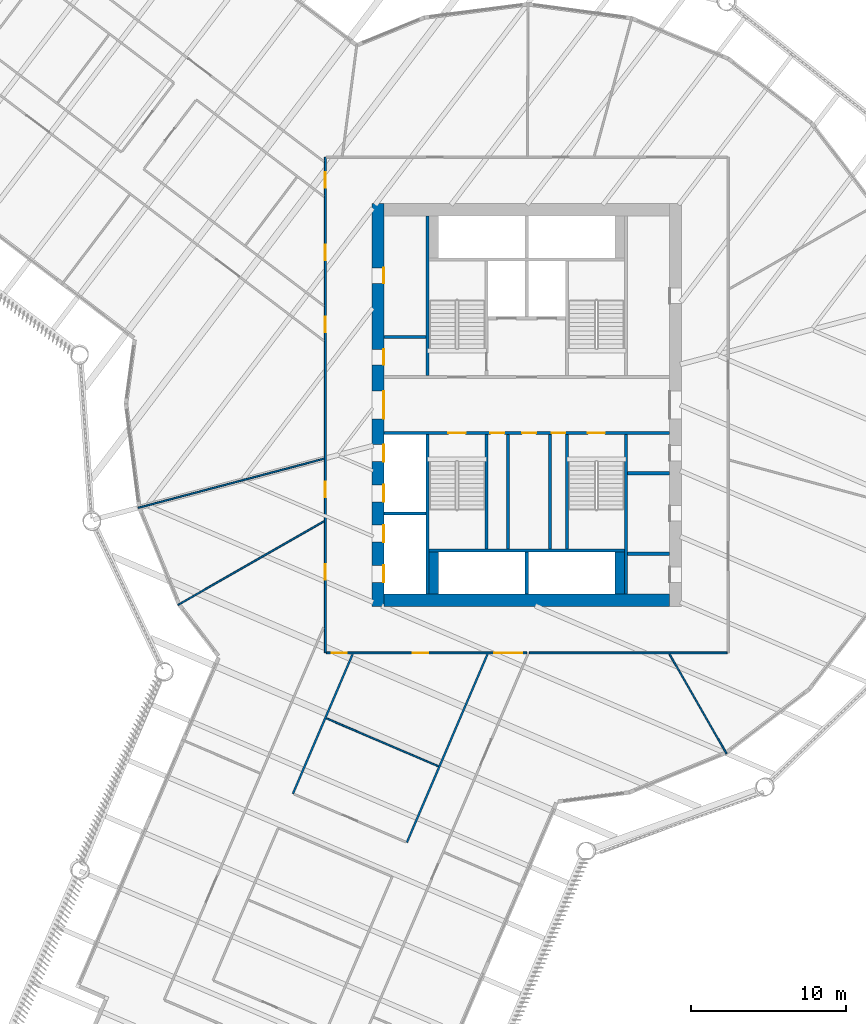
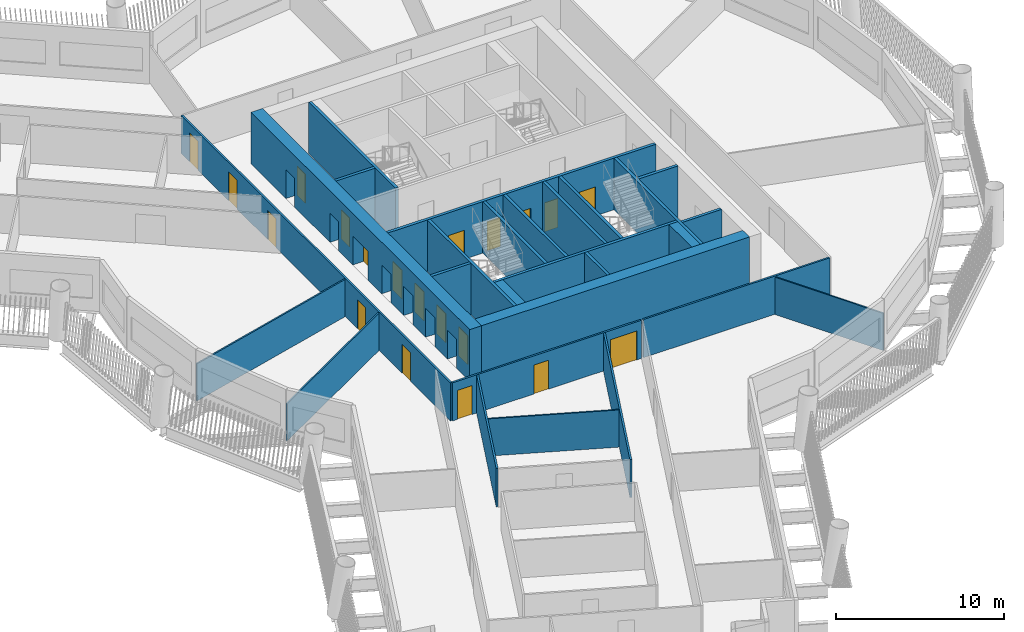
# One storey, part 4 of 16: 27 walls, 20 doors, 20 openings.
"""IFC4 building model written with IfcOpenShell, lengths in metres."""

from ifc_helpers import new_model, si_unit, direction, frame, frame_2d, origin, place, context, subcontext, project, spatial, rectangle, extrude, material, layer, layer_set, type_object, element, fill, save


model = new_model("IFC4")

# Units and contexts
model_context = context("Model", 3, precision=1e-05, world=origin(), true_north=direction((0.0, 1.0)))
body_context = subcontext(model_context, "Body", "Model", "MODEL_VIEW")
ifc_project = project(units=[si_unit("LENGTHUNIT", "METRE"), si_unit("AREAUNIT", "SQUARE_METRE"), si_unit("VOLUMEUNIT", "CUBIC_METRE"), si_unit("PLANEANGLEUNIT", "RADIAN"), si_unit("MASSUNIT", "GRAM", prefix="KILO")], contexts=[model_context])

# Site, building, storey
site_placement = place(None, origin())
site = spatial("IfcSite", under=ifc_project, at=site_placement, CompositionType="ELEMENT")
building_placement = place(site_placement, origin())
building = spatial("IfcBuilding", under=site, at=building_placement, Name="Tarsis Ring Headquarters", CompositionType="ELEMENT")
storey_placement = place(building_placement, frame((0.0, 0.0, 120.10009765625)))
storey = spatial("IfcBuildingStorey", under=building, at=storey_placement, Name="L27", CompositionType="ELEMENT", Elevation=120.10009765625)

# Walls
ifc_material_1 = material(Name="Blockwork", Category="masonry")
ifc_layer_1 = layer(ifc_material_1, 0.199951171875)
ifc_layer_set_1 = layer_set([ifc_layer_1], Name="Core blockwork wall 200")
wall_type_1 = type_object("IfcWallType", Name="Core blockwork wall 200", PredefinedType="PARTITIONING", material=ifc_layer_set_1)
for number, where, z_axis, x_axis, name in (
    (1, (-9.199951171875, 4.39990234375, 0.0), (0.0, 0.0, 1.0), (1.0, 0.0, 0.0), "Core partition WD5"),
    (2, (6.5, -9.60009765625, 0.0), (0.0, 0.0, 1.0), (1.0, 0.0, 0.0), "Core partition ED1"),
    (3, (6.5, -4.39990234375, 0.0), (0.0, 0.0, 1.0), (1.0, 0.0, 0.0), "Core partition ED3"),
):
    element("IfcWall", number, at=place(storey_placement, frame(where, z_axis=z_axis, x_axis=x_axis)), inside=storey, type_object=wall_type_1, Name=name, PredefinedType="PARTITIONING", context=body_context, shape_type="SweptSolid", body=[
        extrude(rectangle(XDim=2.699951171875, YDim=0.199951171875, at=frame_2d((1.35009765625, 0.0))), origin(), (0.0, 0.0, 1.0), 3.739990234375),
    ])
for number, where, z_axis, x_axis, name in (
    (4, (-1.199951171875, -9.300048828125, 0.0), (0.0, 0.0, 1.0), (0.0, 1.0, 0.0), "Core partition SV1"),
    (5, (1.5, -9.300048828125, 0.0), (0.0, 0.0, 1.0), (0.0, 1.0, 0.0), "Core partition SV2"),
):
    element("IfcWall", number, at=place(storey_placement, frame(where, z_axis=z_axis, x_axis=x_axis)), inside=storey, type_object=wall_type_1, Name=name, PredefinedType="PARTITIONING", context=body_context, shape_type="SweptSolid", body=[
        extrude(rectangle(XDim=7.400146484375, YDim=0.199951171875, at=frame_2d((3.7001953125, 0.0))), origin(), (0.0, 0.0, 1.0), 3.739990234375),
    ])

# Wall, openings, doors
ifc_material_2 = material(Name="Concrete C60/75", Category="concrete")
ifc_layer_2 = layer(ifc_material_2, 0.800048828125)
ifc_layer_set_2 = layer_set([ifc_layer_2], Name="Core wall 800 C60/75")
wall_type_2 = type_object("IfcWallType", Name="Core wall 800 C60/75", PredefinedType="SHEAR", material=ifc_layer_set_2)
wall_1_placement = place(storey_placement, frame((-9.60009765625, -13.0, 0.0), z_axis=(0.0, 0.0, 1.0), x_axis=(0.0, 1.0, 0.0)))
wall_1 = element("IfcWall", 6, at=wall_1_placement, inside=storey, type_object=wall_type_2, Name="Core wall OW", PredefinedType="SHEAR", context=body_context, shape_type="SweptSolid", body=[
    extrude(rectangle(XDim=26.0, YDim=0.800048828125, at=frame_2d((13.0, 0.0))), origin(), (0.0, 0.0, 1.0), 3.739990234375),
])
opening_1_placement = place(wall_1_placement, frame((1.550048828125, 0.0, 0.0)))
opening_1 = element("IfcOpeningElement", 7, at=opening_1_placement, cuts=wall_1, Name="Opening LD-LR1", PredefinedType="OPENING", context=body_context, shape_type="SweptSolid", body=[
    extrude(rectangle(XDim=1.10009765625, YDim=2.10009765625, at=frame_2d((0.550048828125, 1.050048828125))), frame((0.0, 0.409912109375, 0.0), z_axis=(0.0, -1.0, 0.0), x_axis=(1.0, 0.0, 0.0)), (0.0, 0.0, 1.0), 0.820068359375),
])
opening_2_placement = place(wall_1_placement, frame((4.14990234375, 0.0, 0.0)))
opening_2 = element("IfcOpeningElement", 8, at=opening_2_placement, cuts=wall_1, Name="Opening LD-LR2", PredefinedType="OPENING", context=body_context, shape_type="SweptSolid", body=[
    extrude(rectangle(XDim=1.10009765625, YDim=2.10009765625, at=frame_2d((0.550048828125, 1.050048828125))), frame((0.0, 0.409912109375, 0.0), z_axis=(0.0, -1.0, 0.0), x_axis=(1.0, 0.0, 0.0)), (0.0, 0.0, 1.0), 0.820068359375),
])
opening_3_placement = place(wall_1_placement, frame((6.75, 0.0, 0.0)))
opening_3 = element("IfcOpeningElement", 9, at=opening_3_placement, cuts=wall_1, Name="Opening LD-LR3", PredefinedType="OPENING", context=body_context, shape_type="SweptSolid", body=[
    extrude(rectangle(XDim=1.10009765625, YDim=2.10009765625, at=frame_2d((0.550048828125, 1.050048828125))), frame((0.0, 0.409912109375, 0.0), z_axis=(0.0, -1.0, 0.0), x_axis=(1.0, 0.0, 0.0)), (0.0, 0.0, 1.0), 0.820068359375),
])
opening_4_placement = place(wall_1_placement, frame((9.35009765625, 0.0, 0.0)))
opening_4 = element("IfcOpeningElement", 10, at=opening_4_placement, cuts=wall_1, Name="Opening LD-LR4", PredefinedType="OPENING", context=body_context, shape_type="SweptSolid", body=[
    extrude(rectangle(XDim=1.10009765625, YDim=2.10009765625, at=frame_2d((0.550048828125, 1.050048828125))), frame((0.0, 0.409912109375, 0.0), z_axis=(0.0, -1.0, 0.0), x_axis=(1.0, 0.0, 0.0)), (0.0, 0.0, 1.0), 0.820068359375),
])
opening_5_placement = place(wall_1_placement, frame((12.10009765625, 0.0, 0.0)))
opening_5 = element("IfcOpeningElement", 11, at=opening_5_placement, cuts=wall_1, Name="Opening L27-C05", PredefinedType="OPENING", context=body_context, shape_type="SweptSolid", body=[
    extrude(rectangle(XDim=1.800048828125, YDim=2.10009765625, at=frame_2d((0.89990234375, 1.050048828125))), frame((0.0, 0.409912109375, 0.0), z_axis=(0.0, -1.0, 0.0), x_axis=(1.0, 0.0, 0.0)), (0.0, 0.0, 1.0), 0.820068359375),
])
opening_6_placement = place(wall_1_placement, frame((15.60009765625, 0.0, 0.0)))
opening_6 = element("IfcOpeningElement", 12, at=opening_6_placement, cuts=wall_1, Name="Opening L27-C06", PredefinedType="OPENING", context=body_context, shape_type="SweptSolid", body=[
    extrude(rectangle(XDim=1.0, YDim=2.10009765625, at=frame_2d((0.5, 1.050048828125))), frame((0.0, 0.409912109375, 0.0), z_axis=(0.0, -1.0, 0.0), x_axis=(1.0, 0.0, 0.0)), (0.0, 0.0, 1.0), 0.820068359375),
])
opening_7_placement = place(wall_1_placement, frame((20.85009765625, 0.0, 0.0)))
opening_7 = element("IfcOpeningElement", 13, at=opening_7_placement, cuts=wall_1, Name="Opening L27-C07", PredefinedType="OPENING", context=body_context, shape_type="SweptSolid", body=[
    extrude(rectangle(XDim=1.0, YDim=2.10009765625, at=frame_2d((0.5, 1.050048828125))), frame((0.0, 0.409912109375, 0.0), z_axis=(0.0, -1.0, 0.0), x_axis=(1.0, 0.0, 0.0)), (0.0, 0.0, 1.0), 0.820068359375),
])
ifc_material_3 = material(Name="Steel S355", Category="steel")
door_type_1 = type_object("IfcDoorType", Name="Core entry door 1800x2100", OperationType="DOUBLE_DOOR_SINGLE_SWING", PredefinedType="DOOR", material=ifc_material_3)
door_1_placement = place(opening_5_placement, origin())
door_1 = element("IfcDoor", 14, at=door_1_placement, inside=storey, type_object=door_type_1, Name="Core entry door L27", OperationType="DOUBLE_DOOR_SINGLE_SWING", OverallHeight=2.10009765625, OverallWidth=1.800048828125, PredefinedType="DOOR", context=body_context, shape_type="SweptSolid", body=[
    extrude(rectangle(XDim=1.800048828125, YDim=2.10009765625, at=frame_2d((0.89990234375, 1.050048828125))), frame((0.0, -0.35009765625, 0.0), z_axis=(0.0, -1.0, 0.0), x_axis=(1.0, 0.0, 0.0)), (0.0, 0.0, 1.0), 0.050048828125),
])
fill(opening_5, door_1)
door_type_2 = type_object("IfcDoorType", Name="Core room door 1000x2100", OperationType="SINGLE_SWING_LEFT", PredefinedType="DOOR", material=ifc_material_3)
door_2_placement = place(opening_6_placement, origin())
door_2 = element("IfcDoor", 15, at=door_2_placement, inside=storey, type_object=door_type_2, Name="Core room door L27", OperationType="SINGLE_SWING_LEFT", OverallHeight=2.10009765625, OverallWidth=1.0, PredefinedType="DOOR", context=body_context, shape_type="SweptSolid", body=[
    extrude(rectangle(XDim=1.0, YDim=2.10009765625, at=frame_2d((0.5, 1.050048828125))), frame((0.0, -0.35009765625, 0.0), z_axis=(0.0, -1.0, 0.0), x_axis=(1.0, 0.0, 0.0)), (0.0, 0.0, 1.0), 0.050048828125),
])
fill(opening_6, door_2)
door_3_placement = place(opening_7_placement, origin())
door_3 = element("IfcDoor", 16, at=door_3_placement, inside=storey, type_object=door_type_2, Name="Core room door L27", OperationType="SINGLE_SWING_LEFT", OverallHeight=2.10009765625, OverallWidth=1.0, PredefinedType="DOOR", context=body_context, shape_type="SweptSolid", body=[
    extrude(rectangle(XDim=1.0, YDim=2.10009765625, at=frame_2d((0.5, 1.050048828125))), frame((0.0, -0.35009765625, 0.0), z_axis=(0.0, -1.0, 0.0), x_axis=(1.0, 0.0, 0.0)), (0.0, 0.0, 1.0), 0.050048828125),
])
fill(opening_7, door_3)
door_type_3 = type_object("IfcDoorType", Name="Landing door 1100x2100", OperationType="SLIDING_TO_LEFT", PredefinedType="DOOR", material=ifc_material_3)
door_4_placement = place(opening_1_placement, origin())
door_4 = element("IfcDoor", 17, at=door_4_placement, inside=storey, type_object=door_type_3, Name="Landing door LR1 L27", OperationType="SLIDING_TO_LEFT", OverallHeight=2.10009765625, OverallWidth=1.10009765625, PredefinedType="DOOR", context=body_context, shape_type="SweptSolid", body=[
    extrude(rectangle(XDim=1.10009765625, YDim=2.10009765625, at=frame_2d((0.550048828125, 1.050048828125))), frame((0.0, -0.35009765625, 0.0), z_axis=(0.0, -1.0, 0.0), x_axis=(1.0, 0.0, 0.0)), (0.0, 0.0, 1.0), 0.050048828125),
])
fill(opening_1, door_4)
door_5_placement = place(opening_2_placement, origin())
door_5 = element("IfcDoor", 18, at=door_5_placement, inside=storey, type_object=door_type_3, Name="Landing door LR2 L27", OperationType="SLIDING_TO_LEFT", OverallHeight=2.10009765625, OverallWidth=1.10009765625, PredefinedType="DOOR", context=body_context, shape_type="SweptSolid", body=[
    extrude(rectangle(XDim=1.10009765625, YDim=2.10009765625, at=frame_2d((0.550048828125, 1.050048828125))), frame((0.0, -0.35009765625, 0.0), z_axis=(0.0, -1.0, 0.0), x_axis=(1.0, 0.0, 0.0)), (0.0, 0.0, 1.0), 0.050048828125),
])
fill(opening_2, door_5)
door_6_placement = place(opening_3_placement, origin())
door_6 = element("IfcDoor", 19, at=door_6_placement, inside=storey, type_object=door_type_3, Name="Landing door LR3 L27", OperationType="SLIDING_TO_LEFT", OverallHeight=2.10009765625, OverallWidth=1.10009765625, PredefinedType="DOOR", context=body_context, shape_type="SweptSolid", body=[
    extrude(rectangle(XDim=1.10009765625, YDim=2.10009765625, at=frame_2d((0.550048828125, 1.050048828125))), frame((0.0, -0.35009765625, 0.0), z_axis=(0.0, -1.0, 0.0), x_axis=(1.0, 0.0, 0.0)), (0.0, 0.0, 1.0), 0.050048828125),
])
fill(opening_3, door_6)
door_7_placement = place(opening_4_placement, origin())
door_7 = element("IfcDoor", 20, at=door_7_placement, inside=storey, type_object=door_type_3, Name="Landing door LR4 L27", OperationType="SLIDING_TO_LEFT", OverallHeight=2.10009765625, OverallWidth=1.10009765625, PredefinedType="DOOR", context=body_context, shape_type="SweptSolid", body=[
    extrude(rectangle(XDim=1.10009765625, YDim=2.10009765625, at=frame_2d((0.550048828125, 1.050048828125))), frame((0.0, -0.35009765625, 0.0), z_axis=(0.0, -1.0, 0.0), x_axis=(1.0, 0.0, 0.0)), (0.0, 0.0, 1.0), 0.050048828125),
])
fill(opening_4, door_7)

# Walls
wall_2_placement = place(storey_placement, frame((-9.199951171875, -12.60009765625, 0.0), z_axis=(0.0, 0.0, 1.0), x_axis=(1.0, 0.0, 0.0)))
element("IfcWall", 21, at=wall_2_placement, inside=storey, type_object=wall_type_2, Name="Core wall OS", PredefinedType="SHEAR", context=body_context, shape_type="SweptSolid", body=[
    extrude(rectangle(XDim=18.39990234375, YDim=0.800048828125, at=frame_2d((9.199951171875, 0.0))), origin(), (0.0, 0.0, 1.0), 3.739990234375),
])
ifc_material_4 = material(Name="Gypsum board on steel studs", Category="steel")
ifc_layer_3 = layer(ifc_material_4, 0.10009765625)
ifc_layer_set_3 = layer_set([ifc_layer_3], Name="FL partition 100 unrated")
wall_type_3 = type_object("IfcWallType", Name="FL partition 100 unrated", PredefinedType="PARTITIONING", material=ifc_layer_set_3)
wall_3_placement = place(storey_placement, frame((-25.084716796875, -6.636962890625, 0.0), z_axis=(0.0, 0.0, 1.0), x_axis=(0.966736086466, 0.25577595494, 0.0)))
element("IfcWall", 22, at=wall_3_placement, inside=storey, type_object=wall_type_3, Name="Partition PW3", PredefinedType="PARTITIONING", context=body_context, shape_type="SweptSolid", body=[
    extrude(rectangle(XDim=12.4306640625, YDim=0.10009765625, at=frame_2d((6.21533203125, 0.0))), origin(), (0.0, 0.0, 1.0), 2.699951171875),
])
wall_4_placement = place(storey_placement, frame((-22.51220703125, -12.9033203125, 0.0), z_axis=(0.0, 0.0, 1.0), x_axis=(0.867595782947, 0.497270105086, 0.0)))
element("IfcWall", 23, at=wall_4_placement, inside=storey, type_object=wall_type_3, Name="Partition PW3", PredefinedType="PARTITIONING", context=body_context, shape_type="SweptSolid", body=[
    extrude(rectangle(XDim=10.873779296875, YDim=0.10009765625, at=frame_2d((5.43701171875, 0.0))), origin(), (0.0, 0.0, 1.0), 2.699951171875),
])
wall_5_placement = place(storey_placement, frame((-12.93359375, -20.221435546875, 0.0), z_axis=(0.0, 0.0, 1.0), x_axis=(0.919275118252, -0.393615620831, 0.0)))
element("IfcWall", 24, at=wall_5_placement, inside=storey, type_object=wall_type_3, Name="Partition PW3", PredefinedType="PARTITIONING", context=body_context, shape_type="SweptSolid", body=[
    extrude(rectangle(XDim=7.85986328125, YDim=0.10009765625, at=frame_2d((3.929931640625, 0.0))), origin(), (0.0, 0.0, 1.0), 2.699951171875),
])
wall_6_placement = place(storey_placement, frame((9.215576171875, -16.078125, 0.0), z_axis=(0.0, 0.0, 1.0), x_axis=(0.497269475351, -0.867596143885, 0.0)))
element("IfcWall", 25, at=wall_6_placement, inside=storey, type_object=wall_type_3, Name="Partition PW3", PredefinedType="PARTITIONING", context=body_context, shape_type="SweptSolid", body=[
    extrude(rectangle(XDim=7.416015625, YDim=0.10009765625, at=frame_2d((3.7080078125, 0.0))), origin(), (0.0, 0.0, 1.0), 2.699951171875),
])

# Wall, openings, doors
ifc_layer_4 = layer(ifc_material_4, 0.125)
ifc_layer_set_4 = layer_set([ifc_layer_4], Name="FL partition 125 EI 60 H2770")
wall_type_4 = type_object("IfcWallType", Name="FL partition 125 EI 60 H2770", PredefinedType="PARTITIONING", material=ifc_layer_set_4)
wall_7_placement = place(storey_placement, frame((-13.0, -16.0, 0.0), z_axis=(0.0, 0.0, 1.0), x_axis=(0.0, 1.0, 0.0)))
wall_7 = element("IfcWall", 26, at=wall_7_placement, inside=storey, type_object=wall_type_4, Name="Partition PW1", PredefinedType="PARTITIONING", context=body_context, shape_type="SweptSolid", body=[
    extrude(rectangle(XDim=32.0, YDim=0.125, at=frame_2d((16.0, 0.0))), origin(), (0.0, 0.0, 1.0), 2.77001953125),
])
opening_8_placement = place(wall_7_placement, frame((4.723876953125, 0.0, 0.0)))
opening_8 = element("IfcOpeningElement", 27, at=opening_8_placement, cuts=wall_7, Name="Opening D27.13", PredefinedType="OPENING", context=body_context, shape_type="SweptSolid", body=[
    extrude(rectangle(XDim=1.0, YDim=2.10009765625, at=frame_2d((0.5, 1.050048828125))), frame((0.0, 0.072509765625, 0.0), z_axis=(0.0, -1.0, 0.0), x_axis=(1.0, 0.0, 0.0)), (0.0, 0.0, 1.0), 0.14501953125),
])
opening_9_placement = place(wall_7_placement, frame((10.0546875, 0.0, 0.0)))
opening_9 = element("IfcOpeningElement", 28, at=opening_9_placement, cuts=wall_7, Name="Opening D27.14", PredefinedType="OPENING", context=body_context, shape_type="SweptSolid", body=[
    extrude(rectangle(XDim=1.0, YDim=2.10009765625, at=frame_2d((0.5, 1.050048828125))), frame((0.0, 0.072509765625, 0.0), z_axis=(0.0, -1.0, 0.0), x_axis=(1.0, 0.0, 0.0)), (0.0, 0.0, 1.0), 0.14501953125),
])
opening_10_placement = place(wall_7_placement, frame((25.3603515625, 0.0, 0.0)))
opening_10 = element("IfcOpeningElement", 29, at=opening_10_placement, cuts=wall_7, Name="Opening D27.16", PredefinedType="OPENING", context=body_context, shape_type="SweptSolid", body=[
    extrude(rectangle(XDim=1.0, YDim=2.10009765625, at=frame_2d((0.5, 1.050048828125))), frame((0.0, 0.072509765625, 0.0), z_axis=(0.0, -1.0, 0.0), x_axis=(1.0, 0.0, 0.0)), (0.0, 0.0, 1.0), 0.14501953125),
])
opening_11_placement = place(wall_7_placement, frame((20.703857421875, 0.0, 0.0)))
opening_11 = element("IfcOpeningElement", 30, at=opening_11_placement, cuts=wall_7, Name="Opening D27.24", PredefinedType="OPENING", context=body_context, shape_type="SweptSolid", body=[
    extrude(rectangle(XDim=1.0, YDim=2.10009765625, at=frame_2d((0.5, 1.050048828125))), frame((0.0, 0.072509765625, 0.0), z_axis=(0.0, -1.0, 0.0), x_axis=(1.0, 0.0, 0.0)), (0.0, 0.0, 1.0), 0.14501953125),
])
opening_12_placement = place(wall_7_placement, frame((30.016845703125, 0.0, 0.0)))
opening_12 = element("IfcOpeningElement", 31, at=opening_12_placement, cuts=wall_7, Name="Opening D27.25", PredefinedType="OPENING", context=body_context, shape_type="SweptSolid", body=[
    extrude(rectangle(XDim=1.0, YDim=2.10009765625, at=frame_2d((0.5, 1.050048828125))), frame((0.0, 0.072509765625, 0.0), z_axis=(0.0, -1.0, 0.0), x_axis=(1.0, 0.0, 0.0)), (0.0, 0.0, 1.0), 0.14501953125),
])
ifc_material_5 = material(Name="Fire-rated timber door leaf in steel frame", Category="steel")
door_type_4 = type_object("IfcDoorType", Name="FL door FD60-1000", OperationType="NOTDEFINED", PredefinedType="DOOR", material=ifc_material_5)
door_8_placement = place(opening_8_placement, origin())
door_8 = element("IfcDoor", 32, at=door_8_placement, inside=storey, type_object=door_type_4, Name="Door D27.13", OperationType="SINGLE_SWING_RIGHT", OverallHeight=2.10009765625, OverallWidth=1.0, PredefinedType="DOOR", context=body_context, shape_type="SweptSolid", body=[
    extrude(rectangle(XDim=1.0, YDim=2.10009765625, at=frame_2d((0.5, 1.050048828125))), frame((0.0, 0.02490234375, 0.0), z_axis=(0.0, -1.0, 0.0), x_axis=(1.0, 0.0, 0.0)), (0.0, 0.0, 1.0), 0.050048828125),
])
fill(opening_8, door_8)
door_9_placement = place(opening_9_placement, origin())
door_9 = element("IfcDoor", 33, at=door_9_placement, inside=storey, type_object=door_type_4, Name="Door D27.14", OperationType="SINGLE_SWING_LEFT", OverallHeight=2.10009765625, OverallWidth=1.0, PredefinedType="DOOR", context=body_context, shape_type="SweptSolid", body=[
    extrude(rectangle(XDim=1.0, YDim=2.10009765625, at=frame_2d((0.5, 1.050048828125))), frame((0.0, 0.02490234375, 0.0), z_axis=(0.0, -1.0, 0.0), x_axis=(1.0, 0.0, 0.0)), (0.0, 0.0, 1.0), 0.050048828125),
])
fill(opening_9, door_9)
door_10_placement = place(opening_10_placement, origin())
door_10 = element("IfcDoor", 34, at=door_10_placement, inside=storey, type_object=door_type_4, Name="Door D27.16", OperationType="SINGLE_SWING_LEFT", OverallHeight=2.10009765625, OverallWidth=1.0, PredefinedType="DOOR", context=body_context, shape_type="SweptSolid", body=[
    extrude(rectangle(XDim=1.0, YDim=2.10009765625, at=frame_2d((0.5, 1.050048828125))), frame((0.0, 0.02490234375, 0.0), z_axis=(0.0, -1.0, 0.0), x_axis=(1.0, 0.0, 0.0)), (0.0, 0.0, 1.0), 0.050048828125),
])
fill(opening_10, door_10)
door_11_placement = place(opening_11_placement, origin())
door_11 = element("IfcDoor", 35, at=door_11_placement, inside=storey, type_object=door_type_4, Name="Door D27.24", OperationType="SINGLE_SWING_LEFT", OverallHeight=2.10009765625, OverallWidth=1.0, PredefinedType="DOOR", context=body_context, shape_type="SweptSolid", body=[
    extrude(rectangle(XDim=1.0, YDim=2.10009765625, at=frame_2d((0.5, 1.050048828125))), frame((0.0, 0.02490234375, 0.0), z_axis=(0.0, -1.0, 0.0), x_axis=(1.0, 0.0, 0.0)), (0.0, 0.0, 1.0), 0.050048828125),
])
fill(opening_11, door_11)
door_12_placement = place(opening_12_placement, origin())
door_12 = element("IfcDoor", 36, at=door_12_placement, inside=storey, type_object=door_type_4, Name="Door D27.25", OperationType="SINGLE_SWING_RIGHT", OverallHeight=2.10009765625, OverallWidth=1.0, PredefinedType="DOOR", context=body_context, shape_type="SweptSolid", body=[
    extrude(rectangle(XDim=1.0, YDim=2.10009765625, at=frame_2d((0.5, 1.050048828125))), frame((0.0, 0.02490234375, 0.0), z_axis=(0.0, -1.0, 0.0), x_axis=(1.0, 0.0, 0.0)), (0.0, 0.0, 1.0), 0.050048828125),
])
fill(opening_12, door_12)

wall_8_placement = place(storey_placement, frame((-12.93994140625, -16.0, 0.0), z_axis=(0.0, 0.0, 1.0), x_axis=(1.0, 0.0, 0.0)))
wall_8 = element("IfcWall", 37, at=wall_8_placement, inside=storey, type_object=wall_type_4, Name="Partition PW1", PredefinedType="PARTITIONING", context=body_context, shape_type="SweptSolid", body=[
    extrude(rectangle(XDim=12.956298828125, YDim=0.125, at=frame_2d((6.47802734375, 0.0))), origin(), (0.0, 0.0, 1.0), 2.77001953125),
])
opening_13_placement = place(wall_8_placement, frame((5.589111328125, 0.0, 0.0)))
opening_13 = element("IfcOpeningElement", 38, at=opening_13_placement, cuts=wall_8, Name="Opening D27.18", PredefinedType="OPENING", context=body_context, shape_type="SweptSolid", body=[
    extrude(rectangle(XDim=1.0, YDim=2.10009765625, at=frame_2d((0.5, 1.050048828125))), frame((0.0, 0.072509765625, 0.0), z_axis=(0.0, -1.0, 0.0), x_axis=(1.0, 0.0, 0.0)), (0.0, 0.0, 1.0), 0.14501953125),
])
opening_14_placement = place(wall_8_placement, frame((0.3388671875, 0.0, 0.0)))
opening_14 = element("IfcOpeningElement", 39, at=opening_14_placement, cuts=wall_8, Name="Opening D27.22", PredefinedType="OPENING", context=body_context, shape_type="SweptSolid", body=[
    extrude(rectangle(XDim=1.0, YDim=2.10009765625, at=frame_2d((0.5, 1.050048828125))), frame((0.0, 0.072509765625, 0.0), z_axis=(0.0, -1.0, 0.0), x_axis=(1.0, 0.0, 0.0)), (0.0, 0.0, 1.0), 0.14501953125),
])
opening_15_placement = place(wall_8_placement, frame((10.845703125, 0.0, 0.0)))
opening_15 = element("IfcOpeningElement", 40, at=opening_15_placement, cuts=wall_8, Name="Opening D27.23", PredefinedType="OPENING", context=body_context, shape_type="SweptSolid", body=[
    extrude(rectangle(XDim=1.800048828125, YDim=2.10009765625, at=frame_2d((0.89990234375, 1.050048828125))), frame((0.0, 0.072509765625, 0.0), z_axis=(0.0, -1.0, 0.0), x_axis=(1.0, 0.0, 0.0)), (0.0, 0.0, 1.0), 0.14501953125),
])
door_13_placement = place(opening_13_placement, origin())
door_13 = element("IfcDoor", 41, at=door_13_placement, inside=storey, type_object=door_type_4, Name="Door D27.18", OperationType="SINGLE_SWING_LEFT", OverallHeight=2.10009765625, OverallWidth=1.0, PredefinedType="DOOR", context=body_context, shape_type="SweptSolid", body=[
    extrude(rectangle(XDim=1.0, YDim=2.10009765625, at=frame_2d((0.5, 1.050048828125))), frame((0.0, 0.02490234375, 0.0), z_axis=(0.0, -1.0, 0.0), x_axis=(1.0, 0.0, 0.0)), (0.0, 0.0, 1.0), 0.050048828125),
])
fill(opening_13, door_13)
door_14_placement = place(opening_14_placement, origin())
door_14 = element("IfcDoor", 42, at=door_14_placement, inside=storey, type_object=door_type_4, Name="Door D27.22", OperationType="SINGLE_SWING_LEFT", OverallHeight=2.10009765625, OverallWidth=1.0, PredefinedType="DOOR", context=body_context, shape_type="SweptSolid", body=[
    extrude(rectangle(XDim=1.0, YDim=2.10009765625, at=frame_2d((0.5, 1.050048828125))), frame((0.0, 0.02490234375, 0.0), z_axis=(0.0, -1.0, 0.0), x_axis=(1.0, 0.0, 0.0)), (0.0, 0.0, 1.0), 0.050048828125),
])
fill(opening_14, door_14)
door_type_5 = type_object("IfcDoorType", Name="FL door FD60-1800", OperationType="DOUBLE_DOOR_SINGLE_SWING", PredefinedType="DOOR", material=ifc_material_5)
door_15_placement = place(opening_15_placement, origin())
door_15 = element("IfcDoor", 43, at=door_15_placement, inside=storey, type_object=door_type_5, Name="Door D27.23", OperationType="DOUBLE_DOOR_SINGLE_SWING", OverallHeight=2.10009765625, OverallWidth=1.800048828125, PredefinedType="DOOR", context=body_context, shape_type="SweptSolid", body=[
    extrude(rectangle(XDim=1.800048828125, YDim=2.10009765625, at=frame_2d((0.89990234375, 1.050048828125))), frame((0.0, 0.02490234375, 0.0), z_axis=(0.0, -1.0, 0.0), x_axis=(1.0, 0.0, 0.0)), (0.0, 0.0, 1.0), 0.050048828125),
])
fill(opening_15, door_15)

# Walls
wall_9_placement = place(storey_placement, frame((0.16845703125, -16.0, 0.0), z_axis=(0.0, 0.0, 1.0), x_axis=(1.0, 0.0, 0.0)))
element("IfcWall", 44, at=wall_9_placement, inside=storey, type_object=wall_type_4, Name="Partition PW1", PredefinedType="PARTITIONING", context=body_context, shape_type="SweptSolid", body=[
    extrude(rectangle(XDim=12.771484375, YDim=0.125, at=frame_2d((6.3857421875, 0.0))), origin(), (0.0, 0.0, 1.0), 2.77001953125),
])
wall_10_placement = place(storey_placement, frame((-7.73779296875, -28.2333984375, 0.0), z_axis=(0.0, 0.0, 1.0), x_axis=(0.393613870839, 0.919275867563, 0.0)))
element("IfcWall", 45, at=wall_10_placement, inside=storey, type_object=wall_type_4, Name="Partition PW1", PredefinedType="PARTITIONING", context=body_context, shape_type="SweptSolid", body=[
    extrude(rectangle(XDim=13.217529296875, YDim=0.125, at=frame_2d((6.60888671875, 0.0))), origin(), (0.0, 0.0, 1.0), 2.77001953125),
])
wall_11_placement = place(storey_placement, frame((-15.092041015625, -25.08447265625, 0.0), z_axis=(0.0, 0.0, 1.0), x_axis=(0.393606332306, 0.919279095361, 0.0)))
element("IfcWall", 46, at=wall_11_placement, inside=storey, type_object=wall_type_4, Name="Partition PW1", PredefinedType="PARTITIONING", context=body_context, shape_type="SweptSolid", body=[
    extrude(rectangle(XDim=9.792236328125, YDim=0.125, at=frame_2d((4.89599609375, 0.0))), origin(), (0.0, 0.0, 1.0), 2.77001953125),
])
ifc_material_6 = material(Name="Concrete C32/40", Category="concrete")
ifc_layer_5 = layer(ifc_material_6, 0.60009765625)
ifc_layer_set_5 = layer_set([ifc_layer_5], Name="Shaft end wall 600 C32/40")
wall_type_5 = type_object("IfcWallType", Name="Shaft end wall 600 C32/40", PredefinedType="SOLIDWALL", material=ifc_layer_set_5)
for number, where, z_axis, x_axis, name in (
    (47, (-6.0, -12.199951171875, 0.0), (0.0, 0.0, 1.0), (0.0, 1.0, 0.0), "Core shaft wall SNE1"),
    (48, (6.0, -12.199951171875, 0.0), (0.0, 0.0, 1.0), (0.0, 1.0, 0.0), "Core shaft wall SNE2"),
):
    element("IfcWall", number, at=place(storey_placement, frame(where, z_axis=z_axis, x_axis=x_axis)), inside=storey, type_object=wall_type_5, Name=name, PredefinedType="SOLIDWALL", context=body_context, shape_type="SweptSolid", body=[
        extrude(rectangle(XDim=2.699951171875, YDim=0.60009765625, at=frame_2d((1.35009765625, 0.0))), origin(), (0.0, 0.0, 1.0), 3.739990234375),
    ])

# Wall, openings, doors
ifc_layer_6 = layer(ifc_material_6, 0.199951171875)
ifc_layer_set_6 = layer_set([ifc_layer_6], Name="Shaft wall 200 C32/40")
wall_type_6 = type_object("IfcWallType", Name="Shaft wall 200 C32/40", PredefinedType="SOLIDWALL", material=ifc_layer_set_6)
wall_12_placement = place(storey_placement, frame((-9.199951171875, -1.800048828125, 0.0), z_axis=(0.0, 0.0, 1.0), x_axis=(1.0, 0.0, 0.0)))
wall_12 = element("IfcWall", 49, at=wall_12_placement, inside=storey, type_object=wall_type_6, Name="Core shaft wall CS", PredefinedType="SOLIDWALL", context=body_context, shape_type="SweptSolid", body=[
    extrude(rectangle(XDim=18.39990234375, YDim=0.199951171875, at=frame_2d((9.199951171875, 0.0))), origin(), (0.0, 0.0, 1.0), 3.739990234375),
])
opening_16_placement = place(wall_12_placement, frame((4.14990234375, 0.0, 0.0)))
opening_16 = element("IfcOpeningElement", 50, at=opening_16_placement, cuts=wall_12, Name="Opening L27-C16", PredefinedType="OPENING", context=body_context, shape_type="SweptSolid", body=[
    extrude(rectangle(XDim=1.10009765625, YDim=2.10009765625, at=frame_2d((0.550048828125, 1.050048828125))), frame((0.0, 0.10986328125, 0.0), z_axis=(0.0, -1.0, 0.0), x_axis=(1.0, 0.0, 0.0)), (0.0, 0.0, 1.0), 0.219970703125),
])
opening_17_placement = place(wall_12_placement, frame((6.85009765625, 0.0, 0.0)))
opening_17 = element("IfcOpeningElement", 51, at=opening_17_placement, cuts=wall_12, Name="Opening L27-C17", PredefinedType="OPENING", context=body_context, shape_type="SweptSolid", body=[
    extrude(rectangle(XDim=0.89990234375, YDim=2.10009765625, at=frame_2d((0.449951171875, 1.050048828125))), frame((0.0, 0.10986328125, 0.0), z_axis=(0.0, -1.0, 0.0), x_axis=(1.0, 0.0, 0.0)), (0.0, 0.0, 1.0), 0.219970703125),
])
opening_18_placement = place(wall_12_placement, frame((8.89990234375, 0.0, 0.0)))
opening_18 = element("IfcOpeningElement", 52, at=opening_18_placement, cuts=wall_12, Name="Opening L27-C18", PredefinedType="OPENING", context=body_context, shape_type="SweptSolid", body=[
    extrude(rectangle(XDim=0.89990234375, YDim=2.10009765625, at=frame_2d((0.449951171875, 1.050048828125))), frame((0.0, 0.10986328125, 0.0), z_axis=(0.0, -1.0, 0.0), x_axis=(1.0, 0.0, 0.0)), (0.0, 0.0, 1.0), 0.219970703125),
])
opening_19_placement = place(wall_12_placement, frame((10.800048828125, 0.0, 0.0)))
opening_19 = element("IfcOpeningElement", 53, at=opening_19_placement, cuts=wall_12, Name="Opening L27-C19", PredefinedType="OPENING", context=body_context, shape_type="SweptSolid", body=[
    extrude(rectangle(XDim=0.89990234375, YDim=2.10009765625, at=frame_2d((0.449951171875, 1.050048828125))), frame((0.0, 0.10986328125, 0.0), z_axis=(0.0, -1.0, 0.0), x_axis=(1.0, 0.0, 0.0)), (0.0, 0.0, 1.0), 0.219970703125),
])
opening_20_placement = place(wall_12_placement, frame((13.14990234375, 0.0, 0.0)))
opening_20 = element("IfcOpeningElement", 54, at=opening_20_placement, cuts=wall_12, Name="Opening L27-C20", PredefinedType="OPENING", context=body_context, shape_type="SweptSolid", body=[
    extrude(rectangle(XDim=1.10009765625, YDim=2.10009765625, at=frame_2d((0.550048828125, 1.050048828125))), frame((0.0, 0.10986328125, 0.0), z_axis=(0.0, -1.0, 0.0), x_axis=(1.0, 0.0, 0.0)), (0.0, 0.0, 1.0), 0.219970703125),
])
door_type_6 = type_object("IfcDoorType", Name="Stair door 1100x2100", OperationType="SINGLE_SWING_LEFT", PredefinedType="DOOR", material=ifc_material_3)
door_16_placement = place(opening_16_placement, origin())
door_16 = element("IfcDoor", 55, at=door_16_placement, inside=storey, type_object=door_type_6, Name="Stair door L27", OperationType="SINGLE_SWING_LEFT", OverallHeight=2.10009765625, OverallWidth=1.10009765625, PredefinedType="DOOR", context=body_context, shape_type="SweptSolid", body=[
    extrude(rectangle(XDim=1.10009765625, YDim=2.10009765625, at=frame_2d((0.550048828125, 1.050048828125))), frame((0.0, 0.02490234375, 0.0), z_axis=(0.0, -1.0, 0.0), x_axis=(1.0, 0.0, 0.0)), (0.0, 0.0, 1.0), 0.050048828125),
])
fill(opening_16, door_16)
door_17_placement = place(opening_20_placement, origin())
door_17 = element("IfcDoor", 56, at=door_17_placement, inside=storey, type_object=door_type_6, Name="Stair door L27", OperationType="SINGLE_SWING_LEFT", OverallHeight=2.10009765625, OverallWidth=1.10009765625, PredefinedType="DOOR", context=body_context, shape_type="SweptSolid", body=[
    extrude(rectangle(XDim=1.10009765625, YDim=2.10009765625, at=frame_2d((0.550048828125, 1.050048828125))), frame((0.0, 0.02490234375, 0.0), z_axis=(0.0, -1.0, 0.0), x_axis=(1.0, 0.0, 0.0)), (0.0, 0.0, 1.0), 0.050048828125),
])
fill(opening_20, door_17)
door_type_7 = type_object("IfcDoorType", Name="WC door 900x2100", OperationType="SINGLE_SWING_LEFT", PredefinedType="DOOR", material=ifc_material_3)
door_18_placement = place(opening_17_placement, origin())
door_18 = element("IfcDoor", 57, at=door_18_placement, inside=storey, type_object=door_type_7, Name="WC door L27", OperationType="SINGLE_SWING_LEFT", OverallHeight=2.10009765625, OverallWidth=0.89990234375, PredefinedType="DOOR", context=body_context, shape_type="SweptSolid", body=[
    extrude(rectangle(XDim=0.89990234375, YDim=2.10009765625, at=frame_2d((0.449951171875, 1.050048828125))), frame((0.0, 0.02490234375, 0.0), z_axis=(0.0, -1.0, 0.0), x_axis=(1.0, 0.0, 0.0)), (0.0, 0.0, 1.0), 0.050048828125),
])
fill(opening_17, door_18)
door_19_placement = place(opening_18_placement, origin())
door_19 = element("IfcDoor", 58, at=door_19_placement, inside=storey, type_object=door_type_7, Name="WC door L27", OperationType="SINGLE_SWING_LEFT", OverallHeight=2.10009765625, OverallWidth=0.89990234375, PredefinedType="DOOR", context=body_context, shape_type="SweptSolid", body=[
    extrude(rectangle(XDim=0.89990234375, YDim=2.10009765625, at=frame_2d((0.449951171875, 1.050048828125))), frame((0.0, 0.02490234375, 0.0), z_axis=(0.0, -1.0, 0.0), x_axis=(1.0, 0.0, 0.0)), (0.0, 0.0, 1.0), 0.050048828125),
])
fill(opening_18, door_19)
door_20_placement = place(opening_19_placement, origin())
door_20 = element("IfcDoor", 59, at=door_20_placement, inside=storey, type_object=door_type_7, Name="WC door L27", OperationType="SINGLE_SWING_LEFT", OverallHeight=2.10009765625, OverallWidth=0.89990234375, PredefinedType="DOOR", context=body_context, shape_type="SweptSolid", body=[
    extrude(rectangle(XDim=0.89990234375, YDim=2.10009765625, at=frame_2d((0.449951171875, 1.050048828125))), frame((0.0, 0.02490234375, 0.0), z_axis=(0.0, -1.0, 0.0), x_axis=(1.0, 0.0, 0.0)), (0.0, 0.0, 1.0), 0.050048828125),
])
fill(opening_19, door_20)

# Walls
for number, where, z_axis, x_axis, name in (
    (60, (-6.39990234375, -12.199951171875, 0.0), (0.0, 0.0, 1.0), (0.0, 1.0, 0.0), "Core shaft wall WB1"),
    (61, (-6.39990234375, 1.89990234375, 0.0), (0.0, 0.0, 1.0), (0.0, 1.0, 0.0), "Core shaft wall WB2"),
    (62, (6.39990234375, -12.199951171875, 0.0), (0.0, 0.0, 1.0), (0.0, 1.0, 0.0), "Core shaft wall EB1"),
):
    element("IfcWall", number, at=place(storey_placement, frame(where, z_axis=z_axis, x_axis=x_axis)), inside=storey, type_object=wall_type_6, Name=name, PredefinedType="SOLIDWALL", context=body_context, shape_type="SweptSolid", body=[
        extrude(rectangle(XDim=10.300048828125, YDim=0.199951171875, at=frame_2d((5.14990234375, 0.0))), origin(), (0.0, 0.0, 1.0), 3.739990234375),
    ])
wall_13_placement = place(storey_placement, frame((-6.300048828125, -9.39990234375, 0.0), z_axis=(0.0, 0.0, 1.0), x_axis=(1.0, 0.0, 0.0)))
element("IfcWall", 63, at=wall_13_placement, inside=storey, type_object=wall_type_6, Name="Core shaft wall SB", PredefinedType="SOLIDWALL", context=body_context, shape_type="SweptSolid", body=[
    extrude(rectangle(XDim=12.60009765625, YDim=0.199951171875, at=frame_2d((6.300048828125, 0.0))), origin(), (0.0, 0.0, 1.0), 3.739990234375),
])
for number, where, z_axis, x_axis, name in (
    (64, (-2.60009765625, -9.300048828125, 0.0), (0.0, 0.0, 1.0), (0.0, 1.0, 0.0), "Core shaft wall SW3"),
    (65, (2.60009765625, -9.300048828125, 0.0), (0.0, 0.0, 1.0), (0.0, 1.0, 0.0), "Core shaft wall SW4"),
):
    element("IfcWall", number, at=place(storey_placement, frame(where, z_axis=z_axis, x_axis=x_axis)), inside=storey, type_object=wall_type_6, Name=name, PredefinedType="SOLIDWALL", context=body_context, shape_type="SweptSolid", body=[
        extrude(rectangle(XDim=7.400146484375, YDim=0.199951171875, at=frame_2d((3.7001953125, 0.0))), origin(), (0.0, 0.0, 1.0), 3.739990234375),
    ])
for number, where, z_axis, x_axis, name in (
    (66, (-9.199951171875, -7.0, 0.0), (0.0, 0.0, 1.0), (1.0, 0.0, 0.0), "Core shaft wall WD2"),
    (67, (0.0, -12.199951171875, 0.0), (0.0, 0.0, 1.0), (0.0, 1.0, 0.0), "Core shaft wall SD2"),
):
    element("IfcWall", number, at=place(storey_placement, frame(where, z_axis=z_axis, x_axis=x_axis)), inside=storey, type_object=wall_type_6, Name=name, PredefinedType="SOLIDWALL", context=body_context, shape_type="SweptSolid", body=[
        extrude(rectangle(XDim=2.699951171875, YDim=0.199951171875, at=frame_2d((1.35009765625, 0.0))), origin(), (0.0, 0.0, 1.0), 3.739990234375),
    ])

save(model, "model.ifc")
